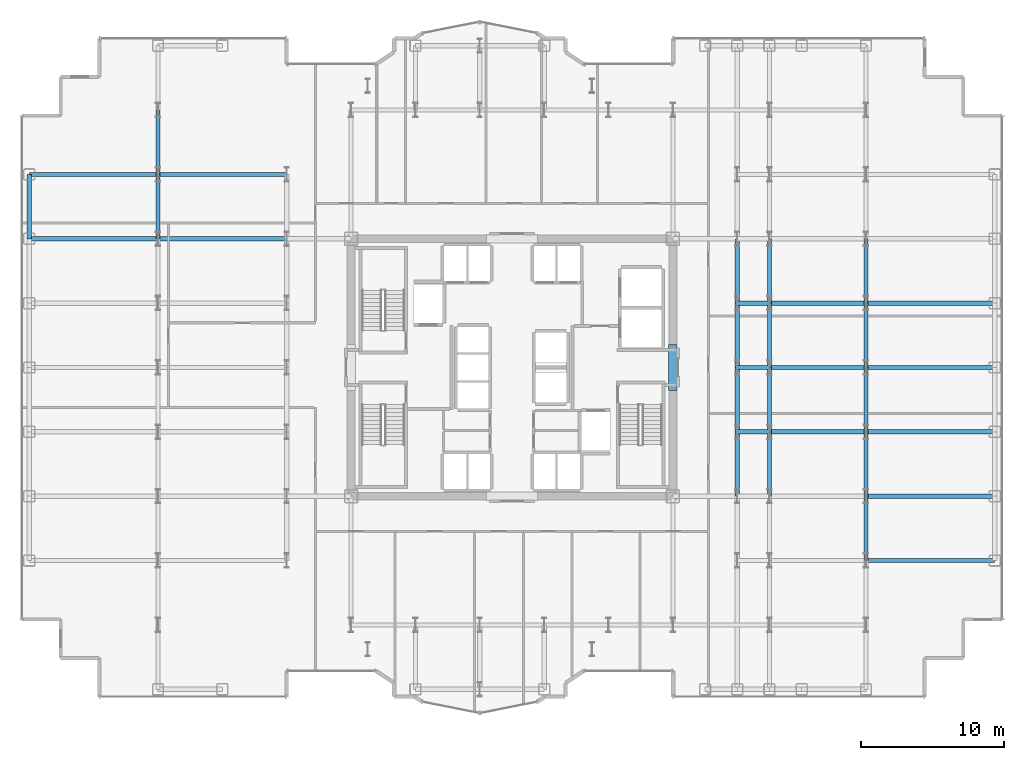
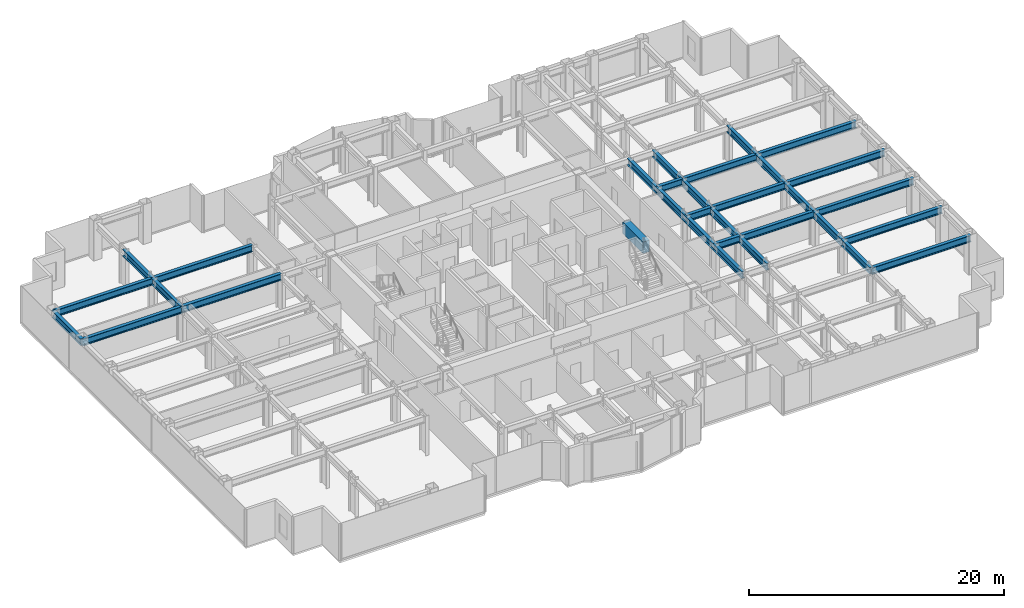
# One storey, part 8 of 25: 32 beams.
"""IFC4 building model written with IfcOpenShell, lengths in metres."""

from ifc_helpers import new_model, si_unit, direction, frame, origin, origin_2d, place, context, subcontext, project, spatial, rectangle, i_section, extrude, source, transform, mapped, material, material_profile, profile_set, type_object, element, save


model = new_model("IFC4")

# Units and contexts
model_context = context("Model", 3, precision=1e-05, world=origin(), true_north=direction((0.0, 1.0)))
body_context = subcontext(model_context, "Body", "Model", "MODEL_VIEW")
ifc_project = project(units=[si_unit("LENGTHUNIT", "METRE"), si_unit("AREAUNIT", "SQUARE_METRE"), si_unit("VOLUMEUNIT", "CUBIC_METRE"), si_unit("PLANEANGLEUNIT", "RADIAN"), si_unit("MASSUNIT", "GRAM", prefix="KILO")], contexts=[model_context])

# Site, building, storey
site_placement = place(None, origin())
site = spatial("IfcSite", under=ifc_project, at=site_placement, CompositionType="ELEMENT")
building_placement = place(site_placement, origin())
building = spatial("IfcBuilding", under=site, at=building_placement, Name="Nefas-Gora Pilgrimage Tower", CompositionType="ELEMENT")
storey_placement = place(building_placement, frame((0.0, 0.0, 109.800048828125)))
storey = spatial("IfcBuildingStorey", under=building, at=storey_placement, Name="L26", CompositionType="ELEMENT", Elevation=109.800048828125)

# Beams
ifc_material_1 = material(Name="Concrete C60/75", Category="concrete")
ifc_material_profile_1 = material_profile(ifc_material_1, rectangle(XDim=0.60009765625, YDim=1.10009765625, at=origin_2d()), Name="RC 600x1100")
ifc_profile_set_1 = profile_set([ifc_material_profile_1], Name="Concrete C60/75")
beam_type_1 = type_object("IfcBeamType", Name="BM-LIN-RC1100", PredefinedType="LINTEL", material=ifc_profile_set_1)
shared_shape_1 = source(origin(), body_context, "Body", "SweptSolid", [
    extrude(rectangle(XDim=0.60009765625, YDim=1.10009765625, at=origin_2d()), origin(), (0.0, 0.0, 1.0), 3.2001953125),
])
beam_1_placement = place(storey_placement, frame((11.25, -1.60009765625, 3.0), z_axis=(0.0, 1.0, 0.0), x_axis=(-1.0, 0.0, 0.0)))
element("IfcBeam", 1, at=beam_1_placement, inside=storey, type_object=beam_type_1, Name="L26 Core Coupling Lintel Beam E", PredefinedType="LINTEL", context=body_context, shape_type="MappedRepresentation", body=[
    mapped(shared_shape_1, transform((0.0, 0.0, 0.0), x_axis=(1.0, 0.0, 0.0), y_axis=(0.0, 1.0, 0.0), z_axis=(0.0, 0.0, 1.0), scale=1.0)),
])
ifc_material_2 = material(Name="Steel S355", Category="steel")
ifc_material_profile_2 = material_profile(ifc_material_2, i_section(OverallWidth=0.300048828125, OverallDepth=0.64990234375, WebThickness=0.01611328125, FlangeThickness=0.031005859375, FilletRadius=0.027099609375, at=origin_2d()), Name="HEB 650")
ifc_profile_set_2 = profile_set([ifc_material_profile_2], Name="Steel S355")
beam_type_2 = type_object("IfcBeamType", Name="BM-SPN-HEB500", PredefinedType="SPANDREL", material=ifc_profile_set_2)
shared_shape_2 = source(origin(), body_context, "Body", "SweptSolid", [
    extrude(i_section(OverallWidth=0.300048828125, OverallDepth=0.64990234375, WebThickness=0.01611328125, FlangeThickness=0.031005859375, FilletRadius=0.027099609375, at=origin_2d()), origin(), (0.0, 0.0, 1.0), 4.5),
])
beam_2_placement = place(storey_placement, frame((-33.75, 9.0, 3.224853515625), z_axis=(0.0, 1.0, 0.0), x_axis=(-1.0, 0.0, 0.0)))
element("IfcBeam", 2, at=beam_2_placement, inside=storey, type_object=beam_type_2, Name="L26 SP-02 beam", PredefinedType="SPANDREL", context=body_context, shape_type="MappedRepresentation", body=[
    mapped(shared_shape_2, transform((0.0, 0.0, 0.0), x_axis=(1.0, 0.0, 0.0), y_axis=(0.0, 1.0, 0.0), z_axis=(0.0, 0.0, 1.0), scale=1.0)),
])
ifc_material_profile_3 = material_profile(ifc_material_2, i_section(OverallWidth=0.300048828125, OverallDepth=0.64990234375, WebThickness=0.01611328125, FlangeThickness=0.031005859375, FilletRadius=0.027099609375, at=origin_2d()), Name="HEB 650")
ifc_profile_set_3 = profile_set([ifc_material_profile_3], Name="Steel S355")
beam_type_3 = type_object("IfcBeamType", Name="BM-GIR-HEB650", PredefinedType="BEAM", material=ifc_profile_set_3)
shared_shape_3 = source(origin(), body_context, "Body", "SweptSolid", [
    extrude(i_section(OverallWidth=0.300048828125, OverallDepth=0.64990234375, WebThickness=0.01611328125, FlangeThickness=0.031005859375, FilletRadius=0.027099609375, at=origin_2d()), origin(), (0.0, 0.0, 1.0), 9.0),
])
for number, where, z_axis, x_axis, name in (
    (3, (-33.75, 9.0, 3.224853515625), (1.0, 0.0, 0.0), (0.0, 1.0, 0.0), "L26 G-03 beam"),
    (4, (-33.75, 13.5, 3.224853515625), (1.0, 0.0, 0.0), (0.0, 1.0, 0.0), "L26 G-03 beam"),
    (5, (-24.75, 9.0, 3.224853515625), (1.0, 0.0, 0.0), (0.0, 1.0, 0.0), "L26 G-03 beam"),
    (6, (-24.75, 13.5, 3.224853515625), (1.0, 0.0, 0.0), (0.0, 1.0, 0.0), "L26 G-03 beam"),
    (7, (24.75, -13.5, 3.224853515625), (1.0, 0.0, 0.0), (0.0, 1.0, 0.0), "L26 G-03 beam"),
    (8, (24.75, -9.0, 3.224853515625), (1.0, 0.0, 0.0), (0.0, 1.0, 0.0), "L26 G-03 beam"),
    (9, (24.75, -4.5, 3.224853515625), (1.0, 0.0, 0.0), (0.0, 1.0, 0.0), "L26 G-03 beam"),
    (10, (24.75, 0.0, 3.224853515625), (1.0, 0.0, 0.0), (0.0, 1.0, 0.0), "L26 G-03 beam"),
    (11, (24.75, 4.5, 3.224853515625), (1.0, 0.0, 0.0), (0.0, 1.0, 0.0), "L26 G-03 beam"),
):
    element("IfcBeam", number, at=place(storey_placement, frame(where, z_axis=z_axis, x_axis=x_axis)), inside=storey, type_object=beam_type_3, Name=name, PredefinedType="BEAM", context=body_context, shape_type="MappedRepresentation", body=[
        mapped(shared_shape_3, transform((0.0, 0.0, 0.0), x_axis=(1.0, 0.0, 0.0), y_axis=(0.0, 1.0, 0.0), z_axis=(0.0, 0.0, 1.0), scale=1.0)),
    ])
shared_shape_4 = source(origin(), body_context, "Body", "SweptSolid", [
    extrude(i_section(OverallWidth=0.300048828125, OverallDepth=0.64990234375, WebThickness=0.01611328125, FlangeThickness=0.031005859375, FilletRadius=0.027099609375, at=origin_2d()), origin(), (0.0, 0.0, 1.0), 4.5),
])
for number, where, z_axis, x_axis, name in (
    (12, (-24.75, 9.0, 3.224853515625), (0.0, 1.0, 0.0), (-1.0, 0.0, 0.0), "L26 G-03 beam"),
    (13, (-24.75, 13.5, 3.224853515625), (0.0, 1.0, 0.0), (-1.0, 0.0, 0.0), "L26 G-03 beam"),
    (14, (15.75, -9.0, 3.224853515625), (0.0, 1.0, 0.0), (-1.0, 0.0, 0.0), "L26 G-03 beam"),
    (15, (15.75, -4.5, 3.224853515625), (0.0, 1.0, 0.0), (-1.0, 0.0, 0.0), "L26 G-03 beam"),
    (16, (15.75, 0.0, 3.224853515625), (0.0, 1.0, 0.0), (-1.0, 0.0, 0.0), "L26 G-03 beam"),
    (17, (15.75, 4.5, 3.224853515625), (0.0, 1.0, 0.0), (-1.0, 0.0, 0.0), "L26 G-03 beam"),
    (18, (18.0, -9.0, 3.224853515625), (0.0, 1.0, 0.0), (-1.0, 0.0, 0.0), "L26 G-03 beam"),
    (19, (18.0, -4.5, 3.224853515625), (0.0, 1.0, 0.0), (-1.0, 0.0, 0.0), "L26 G-03 beam"),
    (20, (18.0, 0.0, 3.224853515625), (0.0, 1.0, 0.0), (-1.0, 0.0, 0.0), "L26 G-03 beam"),
    (21, (18.0, 4.5, 3.224853515625), (0.0, 1.0, 0.0), (-1.0, 0.0, 0.0), "L26 G-03 beam"),
    (22, (24.75, -13.5, 3.224853515625), (0.0, 1.0, 0.0), (-1.0, 0.0, 0.0), "L26 G-03 beam"),
    (23, (24.75, -9.0, 3.224853515625), (0.0, 1.0, 0.0), (-1.0, 0.0, 0.0), "L26 G-03 beam"),
    (24, (24.75, -4.5, 3.224853515625), (0.0, 1.0, 0.0), (-1.0, 0.0, 0.0), "L26 G-03 beam"),
    (25, (24.75, 0.0, 3.224853515625), (0.0, 1.0, 0.0), (-1.0, 0.0, 0.0), "L26 G-03 beam"),
    (26, (24.75, 4.5, 3.224853515625), (0.0, 1.0, 0.0), (-1.0, 0.0, 0.0), "L26 G-03 beam"),
):
    element("IfcBeam", number, at=place(storey_placement, frame(where, z_axis=z_axis, x_axis=x_axis)), inside=storey, type_object=beam_type_3, Name=name, PredefinedType="BEAM", context=body_context, shape_type="MappedRepresentation", body=[
        mapped(shared_shape_4, transform((0.0, 0.0, 0.0), x_axis=(1.0, 0.0, 0.0), y_axis=(0.0, 1.0, 0.0), z_axis=(0.0, 0.0, 1.0), scale=1.0)),
    ])
shared_shape_5 = source(origin(), body_context, "Body", "SweptSolid", [
    extrude(i_section(OverallWidth=0.300048828125, OverallDepth=0.64990234375, WebThickness=0.01611328125, FlangeThickness=0.031005859375, FilletRadius=0.027099609375, at=origin_2d()), origin(), (0.0, 0.0, 1.0), 6.75),
])
for number, where, z_axis, x_axis, name in (
    (27, (18.0, -4.5, 3.224853515625), (1.0, 0.0, 0.0), (0.0, 1.0, 0.0), "L26 G-03 beam"),
    (28, (18.0, 0.0, 3.224853515625), (1.0, 0.0, 0.0), (0.0, 1.0, 0.0), "L26 G-03 beam"),
    (29, (18.0, 4.5, 3.224853515625), (1.0, 0.0, 0.0), (0.0, 1.0, 0.0), "L26 G-03 beam"),
):
    element("IfcBeam", number, at=place(storey_placement, frame(where, z_axis=z_axis, x_axis=x_axis)), inside=storey, type_object=beam_type_3, Name=name, PredefinedType="BEAM", context=body_context, shape_type="MappedRepresentation", body=[
        mapped(shared_shape_5, transform((0.0, 0.0, 0.0), x_axis=(1.0, 0.0, 0.0), y_axis=(0.0, 1.0, 0.0), z_axis=(0.0, 0.0, 1.0), scale=1.0)),
    ])
shared_shape_6 = source(origin(), body_context, "Body", "SweptSolid", [
    extrude(i_section(OverallWidth=0.300048828125, OverallDepth=0.64990234375, WebThickness=0.01611328125, FlangeThickness=0.031005859375, FilletRadius=0.027099609375, at=origin_2d()), origin(), (0.0, 0.0, 1.0), 2.25),
])
for number, where, z_axis, x_axis, name in (
    (30, (15.75, -4.5, 3.224853515625), (1.0, 0.0, 0.0), (0.0, 1.0, 0.0), "L26 G-03 beam"),
    (31, (15.75, 0.0, 3.224853515625), (1.0, 0.0, 0.0), (0.0, 1.0, 0.0), "L26 G-03 beam"),
    (32, (15.75, 4.5, 3.224853515625), (1.0, 0.0, 0.0), (0.0, 1.0, 0.0), "L26 G-03 beam"),
):
    element("IfcBeam", number, at=place(storey_placement, frame(where, z_axis=z_axis, x_axis=x_axis)), inside=storey, type_object=beam_type_3, Name=name, PredefinedType="BEAM", context=body_context, shape_type="MappedRepresentation", body=[
        mapped(shared_shape_6, transform((0.0, 0.0, 0.0), x_axis=(1.0, 0.0, 0.0), y_axis=(0.0, 1.0, 0.0), z_axis=(0.0, 0.0, 1.0), scale=1.0)),
    ])

save(model, "model.ifc")
